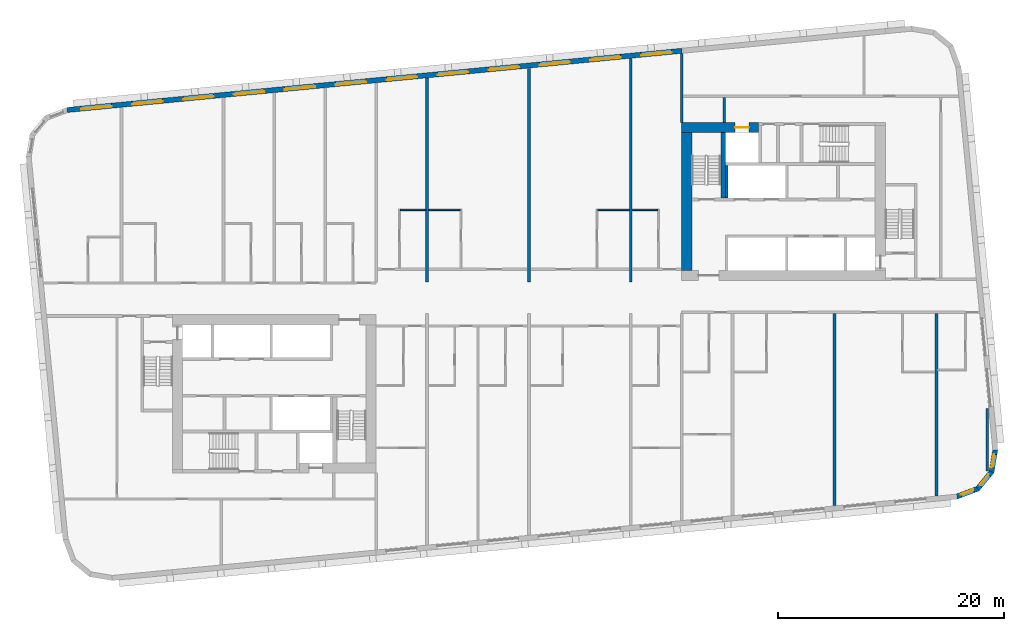
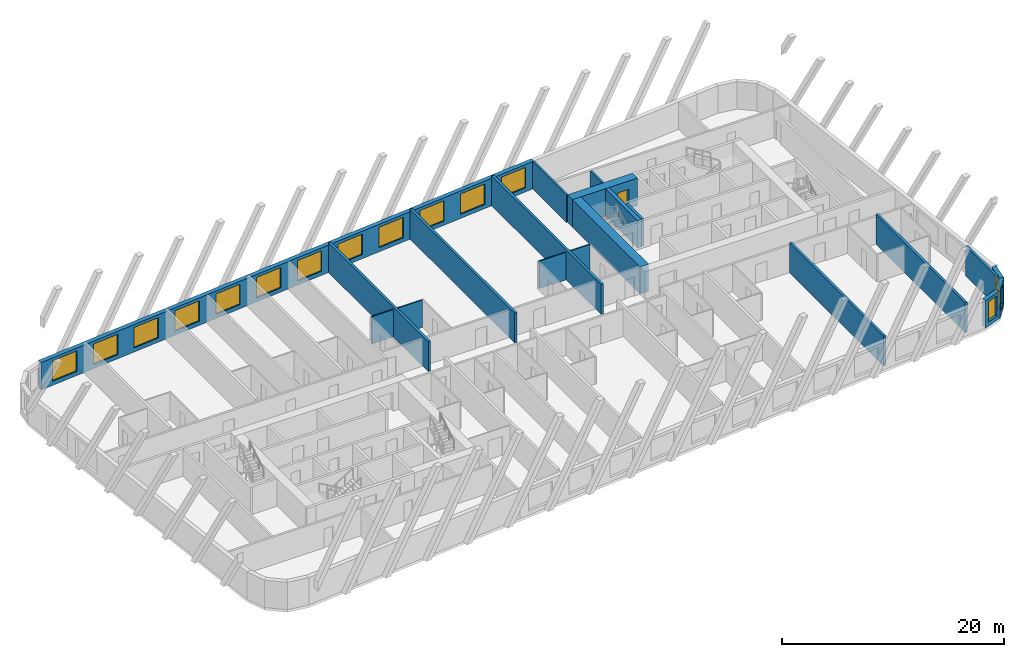
# One storey, part 6 of 13: 20 walls, 15 windows, 1 door, 16 openings.
"""IFC4 building model written with IfcOpenShell, lengths in metres."""

from ifc_helpers import new_model, si_unit, direction, frame, frame_2d, origin, place, context, subcontext, project, spatial, polyline, rectangle, outline, extrude, material, layer, layer_set, type_object, element, fill, save


model = new_model("IFC4")

# Units and contexts
model_context = context("Model", 3, precision=1e-05, world=origin(), true_north=direction((0.0, 1.0)))
body_context = subcontext(model_context, "Body", "Model", "MODEL_VIEW")
ifc_project = project(units=[si_unit("LENGTHUNIT", "METRE"), si_unit("AREAUNIT", "SQUARE_METRE"), si_unit("VOLUMEUNIT", "CUBIC_METRE"), si_unit("PLANEANGLEUNIT", "RADIAN"), si_unit("MASSUNIT", "GRAM", prefix="KILO")], contexts=[model_context])

# Site, building, storey
site_placement = place(None, origin())
site = spatial("IfcSite", under=ifc_project, at=site_placement, CompositionType="ELEMENT")
building_placement = place(site_placement, origin())
building = spatial("IfcBuilding", under=site, at=building_placement, Name="Kajstack Hotel Tower", CompositionType="ELEMENT")
storey_placement = place(building_placement, frame((0.0, 0.0, 176.800048828125)))
storey = spatial("IfcBuildingStorey", under=building, at=storey_placement, Name="L41", CompositionType="ELEMENT", Elevation=176.800048828125)

# Wall, opening, door
ifc_material_1 = material(Name="Concrete C60/75", Category="concrete")
ifc_layer_1 = layer(ifc_material_1, 0.89990234375)
ifc_layer_set_1 = layer_set([ifc_layer_1], Name="Core wall 900")
wall_type_1 = type_object("IfcWallType", Name="Core wall 900", PredefinedType="SHEAR", material=ifc_layer_set_1)
wall_1_placement = place(storey_placement, frame((13.5, 15.050048828125, 0.0), z_axis=(0.0, 0.0, 1.0), x_axis=(1.0, 0.0, 0.0)))
wall_1 = element("IfcWall", 1, at=wall_1_placement, inside=storey, type_object=wall_type_1, Name="Core wall E RS", PredefinedType="SHEAR", context=body_context, shape_type="SweptSolid", body=[
    extrude(rectangle(XDim=6.800048828125, YDim=0.89990234375, at=frame_2d((3.39990234375, 0.0))), origin(), (0.0, 0.0, 1.0), 3.02001953125),
])
opening_1_placement = place(wall_1_placement, frame((4.72509765625, 0.0, 0.0)))
opening_1 = element("IfcOpeningElement", 2, at=opening_1_placement, cuts=wall_1, Name="Opening LD-SV2", PredefinedType="OPENING", context=body_context, shape_type="SweptSolid", body=[
    extrude(rectangle(XDim=1.199951171875, YDim=2.10009765625, at=frame_2d((0.60009765625, 1.050048828125))), frame((0.0, 0.4599609375, 0.0), z_axis=(0.0, -1.0, 0.0), x_axis=(1.0, 0.0, 0.0)), (0.0, 0.0, 1.0), 0.919921875),
])
ifc_material_2 = material(Name="Stainless steel", Category="steel")
door_type = type_object("IfcDoorType", Name="Lift landing door 1200", OperationType="SLIDING_TO_LEFT", PredefinedType="DOOR", material=ifc_material_2)
door_placement = place(opening_1_placement, origin())
door = element("IfcDoor", 3, at=door_placement, inside=storey, type_object=door_type, Name="Landing door SV2", OperationType="SLIDING_TO_LEFT", OverallHeight=2.10009765625, OverallWidth=1.199951171875, PredefinedType="DOOR", context=body_context, shape_type="SweptSolid", body=[
    extrude(rectangle(XDim=1.199951171875, YDim=2.10009765625, at=frame_2d((0.60009765625, 1.050048828125))), frame((0.0, 0.02490234375, 0.0), z_axis=(0.0, -1.0, 0.0), x_axis=(1.0, 0.0, 0.0)), (0.0, 0.0, 1.0), 0.050048828125),
])
fill(opening_1, door)

# Walls
wall_2_placement = place(storey_placement, frame((13.949951171875, 2.39990234375, 0.0), z_axis=(0.0, 0.0, 1.0), x_axis=(0.0, 1.0, 0.0)))
element("IfcWall", 4, at=wall_2_placement, inside=storey, type_object=wall_type_1, Name="Core wall E RE", PredefinedType="SHEAR", context=body_context, shape_type="SweptSolid", body=[
    extrude(rectangle(XDim=12.2001953125, YDim=0.89990234375, at=frame_2d((6.10009765625, 0.0))), origin(), (0.0, 0.0, 1.0), 3.02001953125),
])
ifc_material_3 = material(Name="Twin-frame gypsum board on steel studs, mineral wool", Category="steel")
ifc_layer_2 = layer(ifc_material_3, 0.199951171875)
ifc_layer_set_2 = layer_set([ifc_layer_2], Name="Demising wall 200")
wall_type_2 = type_object("IfcWallType", Name="Demising wall 200", PredefinedType="PARTITIONING", material=ifc_layer_set_2)
wall_3_placement = place(storey_placement, frame((13.5, 15.5, 0.0), z_axis=(0.0, 0.0, 1.0), x_axis=(0.0, 1.0, 0.0)))
element("IfcWall", 5, at=wall_3_placement, inside=storey, type_object=wall_type_2, Name="G-wall-L41-001", PredefinedType="PARTITIONING", context=body_context, shape_type="SweptSolid", body=[
    extrude(rectangle(XDim=6.089111328125, YDim=0.199951171875, at=frame_2d((3.04443359375, 0.0))), origin(), (0.0, 0.0, 1.0), 3.02001953125),
])

# Wall, opening, window
ifc_material_4 = material(Name="Terracotta-faced brick masonry", Category="masonry")
ifc_layer_3 = layer(ifc_material_4, 0.449951171875)
ifc_layer_set_3 = layer_set([ifc_layer_3], Name="EW-TERRA")
wall_type_3 = type_object("IfcWallType", Name="EW-TERRA", PredefinedType="SOLIDWALL", material=ifc_layer_set_3)
wall_4_placement = place(storey_placement, frame((37.76123046875, -17.598388671875, 0.0), z_axis=(0.0, 0.0, 1.0), x_axis=(0.936677599948, 0.350192909346, 0.0)))
wall_4 = element("IfcWall", 6, at=wall_4_placement, inside=storey, type_object=wall_type_3, Name="E-wall-L41-05-00", PredefinedType="SOLIDWALL", context=body_context, shape_type="SweptSolid", body=[
    extrude(outline(polyline([(0.0, -0.22509765625), (2.070556640625, -0.224853515625), (1.949951171875, 0.22509765625), (0.12060546875, 0.22509765625), (0.0, -0.22509765625)])), origin(), (0.0, 0.0, 1.0), 3.02001953125),
])
opening_2_placement = place(wall_4_placement, frame((0.435302734375, 0.0, 0.449951171875)))
opening_2 = element("IfcOpeningElement", 7, at=opening_2_placement, cuts=wall_4, Name="Opening W3", PredefinedType="OPENING", context=body_context, shape_type="SweptSolid", body=[
    extrude(rectangle(XDim=1.199951171875, YDim=2.25, at=frame_2d((0.60009765625, 1.125))), frame((0.0, 0.23486328125, 0.0), z_axis=(0.0, -1.0, 0.0), x_axis=(1.0, 0.0, 0.0)), (0.0, 0.0, 1.0), 0.469970703125),
])
ifc_material_5 = material(Name="Timber-aluminium window, triple glazed", Category="wood")
window_type_1 = type_object("IfcWindowType", Name="WG3", PartitioningType="SINGLE_PANEL", PredefinedType="WINDOW", material=ifc_material_5)
window_1_placement = place(opening_2_placement, origin())
window_1 = element("IfcWindow", 8, at=window_1_placement, inside=storey, type_object=window_type_1, Name="Window W3 L41-05", OverallHeight=2.25, OverallWidth=1.199951171875, PartitioningType="SINGLE_PANEL", PredefinedType="WINDOW", context=body_context, shape_type="SweptSolid", body=[
    extrude(rectangle(XDim=1.199951171875, YDim=2.25, at=frame_2d((0.60009765625, 1.125))), frame((0.0, 0.090087890625, 0.0), z_axis=(0.0, -1.0, 0.0), x_axis=(1.0, 0.0, 0.0)), (0.0, 0.0, 1.0), 0.06005859375),
])
fill(opening_2, window_1)

wall_5_placement = place(storey_placement, frame((39.60595703125, -16.94091796875, 0.0), z_axis=(0.0, 0.0, 1.0), x_axis=(0.636116318187, 0.771593176315, 0.0)))
wall_5 = element("IfcWall", 9, at=wall_5_placement, inside=storey, type_object=wall_type_3, Name="E-wall-L41-06-00", PredefinedType="SOLIDWALL", context=body_context, shape_type="SweptSolid", body=[
    extrude(outline(polyline([(0.0, -0.224853515625), (2.070556640625, -0.224853515625), (1.949951171875, 0.22509765625), (0.12060546875, 0.22509765625), (0.0, -0.224853515625)])), origin(), (0.0, 0.0, 1.0), 3.02001953125),
])
opening_3_placement = place(wall_5_placement, frame((0.435302734375, 0.0, 0.449951171875)))
opening_3 = element("IfcOpeningElement", 10, at=opening_3_placement, cuts=wall_5, Name="Opening W3", PredefinedType="OPENING", context=body_context, shape_type="SweptSolid", body=[
    extrude(rectangle(XDim=1.199951171875, YDim=2.25, at=frame_2d((0.60009765625, 1.125))), frame((0.0, 0.23486328125, 0.0), z_axis=(0.0, -1.0, 0.0), x_axis=(1.0, 0.0, 0.0)), (0.0, 0.0, 1.0), 0.469970703125),
])
window_2_placement = place(opening_3_placement, origin())
window_2 = element("IfcWindow", 11, at=window_2_placement, inside=storey, type_object=window_type_1, Name="Window W3 L41-06", OverallHeight=2.25, OverallWidth=1.199951171875, PartitioningType="SINGLE_PANEL", PredefinedType="WINDOW", context=body_context, shape_type="SweptSolid", body=[
    extrude(rectangle(XDim=1.199951171875, YDim=2.25, at=frame_2d((0.60009765625, 1.125))), frame((0.0, 0.090087890625, 0.0), z_axis=(0.0, -1.0, 0.0), x_axis=(1.0, 0.0, 0.0)), (0.0, 0.0, 1.0), 0.06005859375),
])
fill(opening_3, window_2)

wall_6_placement = place(storey_placement, frame((40.874755859375, -15.44921875, 0.0), z_axis=(0.0, 0.0, 1.0), x_axis=(0.164953448126, 0.986301353518, 0.0)))
wall_6 = element("IfcWall", 12, at=wall_6_placement, inside=storey, type_object=wall_type_3, Name="E-wall-L41-07-00", PredefinedType="SOLIDWALL", context=body_context, shape_type="SweptSolid", body=[
    extrude(outline(polyline([(0.0, -0.224853515625), (2.070556640625, -0.22509765625), (1.9501953125, 0.224853515625), (0.12060546875, 0.22509765625), (0.0, -0.224853515625)])), origin(), (0.0, 0.0, 1.0), 3.02001953125),
])
opening_4_placement = place(wall_6_placement, frame((0.435302734375, 0.0, 0.449951171875)))
opening_4 = element("IfcOpeningElement", 13, at=opening_4_placement, cuts=wall_6, Name="Opening W3", PredefinedType="OPENING", context=body_context, shape_type="SweptSolid", body=[
    extrude(rectangle(XDim=1.199951171875, YDim=2.25, at=frame_2d((0.60009765625, 1.125))), frame((0.0, 0.23486328125, 0.0), z_axis=(0.0, -1.0, 0.0), x_axis=(1.0, 0.0, 0.0)), (0.0, 0.0, 1.0), 0.469970703125),
])
window_3_placement = place(opening_4_placement, origin())
window_3 = element("IfcWindow", 14, at=window_3_placement, inside=storey, type_object=window_type_1, Name="Window W3 L41-07", OverallHeight=2.25, OverallWidth=1.199951171875, PartitioningType="SINGLE_PANEL", PredefinedType="WINDOW", context=body_context, shape_type="SweptSolid", body=[
    extrude(rectangle(XDim=1.199951171875, YDim=2.25, at=frame_2d((0.60009765625, 1.125))), frame((0.0, 0.090087890625, 0.0), z_axis=(0.0, -1.0, 0.0), x_axis=(1.0, 0.0, 0.0)), (0.0, 0.0, 1.0), 0.06005859375),
])
fill(opening_4, window_3)

# Wall, openings, windows
wall_7_placement = place(storey_placement, frame((13.521484375, 21.8173828125, 0.0), z_axis=(0.0, 0.0, 1.0), x_axis=(-0.995396508751, -0.095842529008, 0.0)))
wall_7 = element("IfcWall", 15, at=wall_7_placement, inside=storey, type_object=wall_type_3, Name="E-wall-L41-12-02", PredefinedType="SOLIDWALL", context=body_context, shape_type="SweptSolid", body=[
    extrude(rectangle(XDim=54.59130859375, YDim=0.449951171875, at=frame_2d((27.295654296875, 0.0))), origin(), (0.0, 0.0, 1.0), 3.02001953125),
])
opening_5_placement = place(wall_7_placement, frame((0.910400390625, 0.0, 0.449951171875)))
opening_5 = element("IfcOpeningElement", 16, at=opening_5_placement, cuts=wall_7, Name="Opening W1", PredefinedType="OPENING", context=body_context, shape_type="SweptSolid", body=[
    extrude(rectangle(XDim=2.699951171875, YDim=2.25, at=frame_2d((1.35009765625, 1.125))), frame((0.0, 0.23486328125, 0.0), z_axis=(0.0, -1.0, 0.0), x_axis=(1.0, 0.0, 0.0)), (0.0, 0.0, 1.0), 0.469970703125),
])
opening_6_placement = place(wall_7_placement, frame((5.43115234375, 0.0, 0.449951171875)))
opening_6 = element("IfcOpeningElement", 17, at=opening_6_placement, cuts=wall_7, Name="Opening W1", PredefinedType="OPENING", context=body_context, shape_type="SweptSolid", body=[
    extrude(rectangle(XDim=2.699951171875, YDim=2.25, at=frame_2d((1.35009765625, 1.125))), frame((0.0, 0.23486328125, 0.0), z_axis=(0.0, -1.0, 0.0), x_axis=(1.0, 0.0, 0.0)), (0.0, 0.0, 1.0), 0.469970703125),
])
opening_7_placement = place(wall_7_placement, frame((9.951904296875, 0.0, 0.449951171875)))
opening_7 = element("IfcOpeningElement", 18, at=opening_7_placement, cuts=wall_7, Name="Opening W1", PredefinedType="OPENING", context=body_context, shape_type="SweptSolid", body=[
    extrude(rectangle(XDim=2.699951171875, YDim=2.25, at=frame_2d((1.35009765625, 1.125))), frame((0.0, 0.23486328125, 0.0), z_axis=(0.0, -1.0, 0.0), x_axis=(1.0, 0.0, 0.0)), (0.0, 0.0, 1.0), 0.469970703125),
])
opening_8_placement = place(wall_7_placement, frame((14.472900390625, 0.0, 0.449951171875)))
opening_8 = element("IfcOpeningElement", 19, at=opening_8_placement, cuts=wall_7, Name="Opening W1", PredefinedType="OPENING", context=body_context, shape_type="SweptSolid", body=[
    extrude(rectangle(XDim=2.699951171875, YDim=2.25, at=frame_2d((1.35009765625, 1.125))), frame((0.0, 0.23486328125, 0.0), z_axis=(0.0, -1.0, 0.0), x_axis=(1.0, 0.0, 0.0)), (0.0, 0.0, 1.0), 0.469970703125),
])
opening_9_placement = place(wall_7_placement, frame((18.99365234375, 0.0, 0.449951171875)))
opening_9 = element("IfcOpeningElement", 20, at=opening_9_placement, cuts=wall_7, Name="Opening W1", PredefinedType="OPENING", context=body_context, shape_type="SweptSolid", body=[
    extrude(rectangle(XDim=2.699951171875, YDim=2.25, at=frame_2d((1.35009765625, 1.125))), frame((0.0, 0.23486328125, 0.0), z_axis=(0.0, -1.0, 0.0), x_axis=(1.0, 0.0, 0.0)), (0.0, 0.0, 1.0), 0.469970703125),
])
opening_10_placement = place(wall_7_placement, frame((23.514404296875, 0.0, 0.449951171875)))
opening_10 = element("IfcOpeningElement", 21, at=opening_10_placement, cuts=wall_7, Name="Opening W1", PredefinedType="OPENING", context=body_context, shape_type="SweptSolid", body=[
    extrude(rectangle(XDim=2.699951171875, YDim=2.25, at=frame_2d((1.35009765625, 1.125))), frame((0.0, 0.23486328125, 0.0), z_axis=(0.0, -1.0, 0.0), x_axis=(1.0, 0.0, 0.0)), (0.0, 0.0, 1.0), 0.469970703125),
])
opening_11_placement = place(wall_7_placement, frame((28.03515625, 0.0, 0.449951171875)))
opening_11 = element("IfcOpeningElement", 22, at=opening_11_placement, cuts=wall_7, Name="Opening W1", PredefinedType="OPENING", context=body_context, shape_type="SweptSolid", body=[
    extrude(rectangle(XDim=2.699951171875, YDim=2.25, at=frame_2d((1.35009765625, 1.125))), frame((0.0, 0.23486328125, 0.0), z_axis=(0.0, -1.0, 0.0), x_axis=(1.0, 0.0, 0.0)), (0.0, 0.0, 1.0), 0.469970703125),
])
opening_12_placement = place(wall_7_placement, frame((32.555908203125, 0.0, 0.449951171875)))
opening_12 = element("IfcOpeningElement", 23, at=opening_12_placement, cuts=wall_7, Name="Opening W1", PredefinedType="OPENING", context=body_context, shape_type="SweptSolid", body=[
    extrude(rectangle(XDim=2.699951171875, YDim=2.25, at=frame_2d((1.35009765625, 1.125))), frame((0.0, 0.23486328125, 0.0), z_axis=(0.0, -1.0, 0.0), x_axis=(1.0, 0.0, 0.0)), (0.0, 0.0, 1.0), 0.469970703125),
])
opening_13_placement = place(wall_7_placement, frame((37.076904296875, 0.0, 0.449951171875)))
opening_13 = element("IfcOpeningElement", 24, at=opening_13_placement, cuts=wall_7, Name="Opening W1", PredefinedType="OPENING", context=body_context, shape_type="SweptSolid", body=[
    extrude(rectangle(XDim=2.699951171875, YDim=2.25, at=frame_2d((1.35009765625, 1.125))), frame((0.0, 0.23486328125, 0.0), z_axis=(0.0, -1.0, 0.0), x_axis=(1.0, 0.0, 0.0)), (0.0, 0.0, 1.0), 0.469970703125),
])
opening_14_placement = place(wall_7_placement, frame((41.59765625, 0.0, 0.449951171875)))
opening_14 = element("IfcOpeningElement", 25, at=opening_14_placement, cuts=wall_7, Name="Opening W1", PredefinedType="OPENING", context=body_context, shape_type="SweptSolid", body=[
    extrude(rectangle(XDim=2.699951171875, YDim=2.25, at=frame_2d((1.35009765625, 1.125))), frame((0.0, 0.23486328125, 0.0), z_axis=(0.0, -1.0, 0.0), x_axis=(1.0, 0.0, 0.0)), (0.0, 0.0, 1.0), 0.469970703125),
])
opening_15_placement = place(wall_7_placement, frame((46.118408203125, 0.0, 0.449951171875)))
opening_15 = element("IfcOpeningElement", 26, at=opening_15_placement, cuts=wall_7, Name="Opening W1", PredefinedType="OPENING", context=body_context, shape_type="SweptSolid", body=[
    extrude(rectangle(XDim=2.699951171875, YDim=2.25, at=frame_2d((1.35009765625, 1.125))), frame((0.0, 0.23486328125, 0.0), z_axis=(0.0, -1.0, 0.0), x_axis=(1.0, 0.0, 0.0)), (0.0, 0.0, 1.0), 0.469970703125),
])
opening_16_placement = place(wall_7_placement, frame((50.62890625, 0.0, 0.449951171875)))
opening_16 = element("IfcOpeningElement", 27, at=opening_16_placement, cuts=wall_7, Name="Opening W1", PredefinedType="OPENING", context=body_context, shape_type="SweptSolid", body=[
    extrude(rectangle(XDim=2.699951171875, YDim=2.25, at=frame_2d((1.35009765625, 1.125))), frame((0.0, 0.23486328125, 0.0), z_axis=(0.0, -1.0, 0.0), x_axis=(1.0, 0.0, 0.0)), (0.0, 0.0, 1.0), 0.469970703125),
])
window_type_2 = type_object("IfcWindowType", Name="WG1", PartitioningType="SINGLE_PANEL", PredefinedType="WINDOW", material=ifc_material_5)
window_4_placement = place(opening_5_placement, origin())
window_4 = element("IfcWindow", 28, at=window_4_placement, inside=storey, type_object=window_type_2, Name="Window W1 L41-12", OverallHeight=2.25, OverallWidth=2.699951171875, PartitioningType="SINGLE_PANEL", PredefinedType="WINDOW", context=body_context, shape_type="SweptSolid", body=[
    extrude(rectangle(XDim=2.699951171875, YDim=2.25, at=frame_2d((1.35009765625, 1.125))), frame((0.0, 0.090087890625, 0.0), z_axis=(0.0, -1.0, 0.0), x_axis=(1.0, 0.0, 0.0)), (0.0, 0.0, 1.0), 0.06005859375),
])
fill(opening_5, window_4)
window_5_placement = place(opening_6_placement, origin())
window_5 = element("IfcWindow", 29, at=window_5_placement, inside=storey, type_object=window_type_2, Name="Window W1 L41-12", OverallHeight=2.25, OverallWidth=2.699951171875, PartitioningType="SINGLE_PANEL", PredefinedType="WINDOW", context=body_context, shape_type="SweptSolid", body=[
    extrude(rectangle(XDim=2.699951171875, YDim=2.25, at=frame_2d((1.35009765625, 1.125))), frame((0.0, 0.090087890625, 0.0), z_axis=(0.0, -1.0, 0.0), x_axis=(1.0, 0.0, 0.0)), (0.0, 0.0, 1.0), 0.06005859375),
])
fill(opening_6, window_5)
window_6_placement = place(opening_7_placement, origin())
window_6 = element("IfcWindow", 30, at=window_6_placement, inside=storey, type_object=window_type_2, Name="Window W1 L41-12", OverallHeight=2.25, OverallWidth=2.699951171875, PartitioningType="SINGLE_PANEL", PredefinedType="WINDOW", context=body_context, shape_type="SweptSolid", body=[
    extrude(rectangle(XDim=2.699951171875, YDim=2.25, at=frame_2d((1.35009765625, 1.125))), frame((0.0, 0.090087890625, 0.0), z_axis=(0.0, -1.0, 0.0), x_axis=(1.0, 0.0, 0.0)), (0.0, 0.0, 1.0), 0.06005859375),
])
fill(opening_7, window_6)
window_7_placement = place(opening_8_placement, origin())
window_7 = element("IfcWindow", 31, at=window_7_placement, inside=storey, type_object=window_type_2, Name="Window W1 L41-12", OverallHeight=2.25, OverallWidth=2.699951171875, PartitioningType="SINGLE_PANEL", PredefinedType="WINDOW", context=body_context, shape_type="SweptSolid", body=[
    extrude(rectangle(XDim=2.699951171875, YDim=2.25, at=frame_2d((1.35009765625, 1.125))), frame((0.0, 0.090087890625, 0.0), z_axis=(0.0, -1.0, 0.0), x_axis=(1.0, 0.0, 0.0)), (0.0, 0.0, 1.0), 0.06005859375),
])
fill(opening_8, window_7)
window_8_placement = place(opening_9_placement, origin())
window_8 = element("IfcWindow", 32, at=window_8_placement, inside=storey, type_object=window_type_2, Name="Window W1 L41-12", OverallHeight=2.25, OverallWidth=2.699951171875, PartitioningType="SINGLE_PANEL", PredefinedType="WINDOW", context=body_context, shape_type="SweptSolid", body=[
    extrude(rectangle(XDim=2.699951171875, YDim=2.25, at=frame_2d((1.35009765625, 1.125))), frame((0.0, 0.090087890625, 0.0), z_axis=(0.0, -1.0, 0.0), x_axis=(1.0, 0.0, 0.0)), (0.0, 0.0, 1.0), 0.06005859375),
])
fill(opening_9, window_8)
window_9_placement = place(opening_10_placement, origin())
window_9 = element("IfcWindow", 33, at=window_9_placement, inside=storey, type_object=window_type_2, Name="Window W1 L41-12", OverallHeight=2.25, OverallWidth=2.699951171875, PartitioningType="SINGLE_PANEL", PredefinedType="WINDOW", context=body_context, shape_type="SweptSolid", body=[
    extrude(rectangle(XDim=2.699951171875, YDim=2.25, at=frame_2d((1.35009765625, 1.125))), frame((0.0, 0.090087890625, 0.0), z_axis=(0.0, -1.0, 0.0), x_axis=(1.0, 0.0, 0.0)), (0.0, 0.0, 1.0), 0.06005859375),
])
fill(opening_10, window_9)
window_10_placement = place(opening_11_placement, origin())
window_10 = element("IfcWindow", 34, at=window_10_placement, inside=storey, type_object=window_type_2, Name="Window W1 L41-12", OverallHeight=2.25, OverallWidth=2.699951171875, PartitioningType="SINGLE_PANEL", PredefinedType="WINDOW", context=body_context, shape_type="SweptSolid", body=[
    extrude(rectangle(XDim=2.699951171875, YDim=2.25, at=frame_2d((1.35009765625, 1.125))), frame((0.0, 0.090087890625, 0.0), z_axis=(0.0, -1.0, 0.0), x_axis=(1.0, 0.0, 0.0)), (0.0, 0.0, 1.0), 0.06005859375),
])
fill(opening_11, window_10)
window_11_placement = place(opening_12_placement, origin())
window_11 = element("IfcWindow", 35, at=window_11_placement, inside=storey, type_object=window_type_2, Name="Window W1 L41-12", OverallHeight=2.25, OverallWidth=2.699951171875, PartitioningType="SINGLE_PANEL", PredefinedType="WINDOW", context=body_context, shape_type="SweptSolid", body=[
    extrude(rectangle(XDim=2.699951171875, YDim=2.25, at=frame_2d((1.35009765625, 1.125))), frame((0.0, 0.090087890625, 0.0), z_axis=(0.0, -1.0, 0.0), x_axis=(1.0, 0.0, 0.0)), (0.0, 0.0, 1.0), 0.06005859375),
])
fill(opening_12, window_11)
window_12_placement = place(opening_13_placement, origin())
window_12 = element("IfcWindow", 36, at=window_12_placement, inside=storey, type_object=window_type_2, Name="Window W1 L41-12", OverallHeight=2.25, OverallWidth=2.699951171875, PartitioningType="SINGLE_PANEL", PredefinedType="WINDOW", context=body_context, shape_type="SweptSolid", body=[
    extrude(rectangle(XDim=2.699951171875, YDim=2.25, at=frame_2d((1.35009765625, 1.125))), frame((0.0, 0.090087890625, 0.0), z_axis=(0.0, -1.0, 0.0), x_axis=(1.0, 0.0, 0.0)), (0.0, 0.0, 1.0), 0.06005859375),
])
fill(opening_13, window_12)
window_13_placement = place(opening_14_placement, origin())
window_13 = element("IfcWindow", 37, at=window_13_placement, inside=storey, type_object=window_type_2, Name="Window W1 L41-12", OverallHeight=2.25, OverallWidth=2.699951171875, PartitioningType="SINGLE_PANEL", PredefinedType="WINDOW", context=body_context, shape_type="SweptSolid", body=[
    extrude(rectangle(XDim=2.699951171875, YDim=2.25, at=frame_2d((1.35009765625, 1.125))), frame((0.0, 0.090087890625, 0.0), z_axis=(0.0, -1.0, 0.0), x_axis=(1.0, 0.0, 0.0)), (0.0, 0.0, 1.0), 0.06005859375),
])
fill(opening_14, window_13)
window_14_placement = place(opening_15_placement, origin())
window_14 = element("IfcWindow", 38, at=window_14_placement, inside=storey, type_object=window_type_2, Name="Window W1 L41-12", OverallHeight=2.25, OverallWidth=2.699951171875, PartitioningType="SINGLE_PANEL", PredefinedType="WINDOW", context=body_context, shape_type="SweptSolid", body=[
    extrude(rectangle(XDim=2.699951171875, YDim=2.25, at=frame_2d((1.35009765625, 1.125))), frame((0.0, 0.090087890625, 0.0), z_axis=(0.0, -1.0, 0.0), x_axis=(1.0, 0.0, 0.0)), (0.0, 0.0, 1.0), 0.06005859375),
])
fill(opening_15, window_14)
window_15_placement = place(opening_16_placement, origin())
window_15 = element("IfcWindow", 39, at=window_15_placement, inside=storey, type_object=window_type_2, Name="Window W1 L41-12", OverallHeight=2.25, OverallWidth=2.699951171875, PartitioningType="SINGLE_PANEL", PredefinedType="WINDOW", context=body_context, shape_type="SweptSolid", body=[
    extrude(rectangle(XDim=2.699951171875, YDim=2.25, at=frame_2d((1.35009765625, 1.125))), frame((0.0, 0.090087890625, 0.0), z_axis=(0.0, -1.0, 0.0), x_axis=(1.0, 0.0, 0.0)), (0.0, 0.0, 1.0), 0.06005859375),
])
fill(opening_16, window_15)

# Walls
ifc_material_6 = material(Name="Gypsum board and tiled backer on steel studs", Category="steel")
ifc_layer_4 = layer(ifc_material_6, 0.125)
ifc_layer_set_4 = layer_set([ifc_layer_4], Name="En-suite wall 125")
wall_type_4 = type_object("IfcWallType", Name="En-suite wall 125", PredefinedType="PARTITIONING", material=ifc_layer_set_4)
wall_8_placement = place(storey_placement, frame((-11.375, 7.761962890625, 0.0), z_axis=(0.0, 0.0, 1.0), x_axis=(1.0, 0.0, 0.0)))
element("IfcWall", 40, at=wall_8_placement, inside=storey, type_object=wall_type_4, Name="G-wall-L41-018", PredefinedType="PARTITIONING", context=body_context, shape_type="SweptSolid", body=[
    extrude(rectangle(XDim=2.25, YDim=0.125, at=frame_2d((1.125, 0.0))), origin(), (0.0, 0.0, 1.0), 3.02001953125),
])
for number, where, z_axis, x_axis, name in (
    (41, (-8.875, 7.761962890625, 0.0), (0.0, 0.0, 1.0), (1.0, 0.0, 0.0), "G-wall-L41-020"),
    (42, (6.074951171875, 7.761962890625, 0.0), (0.0, 0.0, 1.0), (1.0, 0.0, 0.0), "G-wall-L41-022"),
):
    element("IfcWall", number, at=place(storey_placement, frame(where, z_axis=z_axis, x_axis=x_axis)), inside=storey, type_object=wall_type_4, Name=name, PredefinedType="PARTITIONING", context=body_context, shape_type="SweptSolid", body=[
        extrude(rectangle(XDim=2.800048828125, YDim=0.125, at=frame_2d((1.39990234375, 0.0))), origin(), (0.0, 0.0, 1.0), 3.02001953125),
    ])
wall_9_placement = place(storey_placement, frame((9.125, 7.761962890625, 0.0), z_axis=(0.0, 0.0, 1.0), x_axis=(1.0, 0.0, 0.0)))
element("IfcWall", 43, at=wall_9_placement, inside=storey, type_object=wall_type_4, Name="G-wall-L41-024", PredefinedType="PARTITIONING", context=body_context, shape_type="SweptSolid", body=[
    extrude(rectangle(XDim=2.25, YDim=0.125, at=frame_2d((1.125, 0.0))), origin(), (0.0, 0.0, 1.0), 3.02001953125),
])
ifc_material_7 = material(Name="Concrete C50/60", Category="concrete")
ifc_layer_5 = layer(ifc_material_7, 0.25)
ifc_layer_set_5 = layer_set([ifc_layer_5], Name="RC cross wall 250 C50/60")
wall_type_5 = type_object("IfcWallType", Name="RC cross wall 250 C50/60", PredefinedType="SHEAR", material=ifc_layer_set_5)
wall_10_placement = place(storey_placement, frame((-9.0, 1.39990234375, 0.0), z_axis=(0.0, 0.0, 1.0), x_axis=(0.0, 1.0, 0.0)))
element("IfcWall", 44, at=wall_10_placement, inside=storey, type_object=wall_type_5, Name="S-wall-L41-05", PredefinedType="SHEAR", context=body_context, shape_type="SweptSolid", body=[
    extrude(rectangle(XDim=18.0009765625, YDim=0.25, at=frame_2d((9.00048828125, 0.0))), origin(), (0.0, 0.0, 1.0), 3.300048828125),
])
wall_11_placement = place(storey_placement, frame((0.0, 1.39990234375, 0.0), z_axis=(0.0, 0.0, 1.0), x_axis=(0.0, 1.0, 0.0)))
element("IfcWall", 45, at=wall_11_placement, inside=storey, type_object=wall_type_5, Name="S-wall-L41-07", PredefinedType="SHEAR", context=body_context, shape_type="SweptSolid", body=[
    extrude(rectangle(XDim=18.867431640625, YDim=0.25, at=frame_2d((9.43359375, 0.0))), origin(), (0.0, 0.0, 1.0), 3.300048828125),
])
wall_12_placement = place(storey_placement, frame((9.0, 1.39990234375, 0.0), z_axis=(0.0, 0.0, 1.0), x_axis=(0.0, 1.0, 0.0)))
element("IfcWall", 46, at=wall_12_placement, inside=storey, type_object=wall_type_5, Name="S-wall-L41-09", PredefinedType="SHEAR", context=body_context, shape_type="SweptSolid", body=[
    extrude(rectangle(XDim=19.734130859375, YDim=0.25, at=frame_2d((9.8671875, 0.0))), origin(), (0.0, 0.0, 1.0), 3.300048828125),
])
wall_13_placement = place(storey_placement, frame((27.0, -18.378662109375, 0.0), z_axis=(0.0, 0.0, 1.0), x_axis=(0.0, 1.0, 0.0)))
element("IfcWall", 47, at=wall_13_placement, inside=storey, type_object=wall_type_5, Name="S-wall-L41-11", PredefinedType="SHEAR", context=body_context, shape_type="SweptSolid", body=[
    extrude(rectangle(XDim=16.978759765625, YDim=0.25, at=frame_2d((8.4892578125, 0.0))), origin(), (0.0, 0.0, 1.0), 3.300048828125),
])
wall_14_placement = place(storey_placement, frame((36.0, -17.51220703125, 0.0), z_axis=(0.0, 0.0, 1.0), x_axis=(0.0, 1.0, 0.0)))
element("IfcWall", 48, at=wall_14_placement, inside=storey, type_object=wall_type_5, Name="S-wall-L41-12", PredefinedType="SHEAR", context=body_context, shape_type="SweptSolid", body=[
    extrude(rectangle(XDim=16.1123046875, YDim=0.25, at=frame_2d((8.05615234375, 0.0))), origin(), (0.0, 0.0, 1.0), 3.300048828125),
])
wall_15_placement = place(storey_placement, frame((40.5, -15.335205078125, 0.0), z_axis=(0.0, 0.0, 1.0), x_axis=(0.0, 1.0, 0.0)))
element("IfcWall", 49, at=wall_15_placement, inside=storey, type_object=wall_type_5, Name="S-wall-L41-13", PredefinedType="SHEAR", context=body_context, shape_type="SweptSolid", body=[
    extrude(rectangle(XDim=5.5380859375, YDim=0.25, at=frame_2d((2.76904296875, 0.0))), origin(), (0.0, 0.0, 1.0), 3.300048828125),
])
ifc_material_8 = material(Name="Gypsum board on steel studs, mineral wool", Category="steel")
ifc_layer_6 = layer(ifc_material_8, 0.199951171875)
ifc_layer_set_6 = layer_set([ifc_layer_6], Name="Service partition 200")
wall_type_6 = type_object("IfcWallType", Name="Service partition 200", PredefinedType="PARTITIONING", material=ifc_layer_set_6)
wall_16_placement = place(storey_placement, frame((17.25, 15.5, 0.0), z_axis=(0.0, 0.0, 1.0), x_axis=(0.0, 1.0, 0.0)))
element("IfcWall", 50, at=wall_16_placement, inside=storey, type_object=wall_type_6, Name="Partition E SCE", PredefinedType="PARTITIONING", context=body_context, shape_type="SweptSolid", body=[
    extrude(rectangle(XDim=2.199951171875, YDim=0.199951171875, at=frame_2d((1.10009765625, 0.0))), origin(), (0.0, 0.0, 1.0), 3.02001953125),
])
ifc_layer_7 = layer(ifc_material_7, 0.25)
ifc_layer_set_7 = layer_set([ifc_layer_7], Name="Shaft wall 250")
wall_type_7 = type_object("IfcWallType", Name="Shaft wall 250", PredefinedType="SHEAR", material=ifc_layer_set_7)
wall_17_placement = place(storey_placement, frame((17.47509765625, 8.800048828125, 0.0), z_axis=(0.0, 0.0, 1.0), x_axis=(0.0, 1.0, 0.0)))
element("IfcWall", 51, at=wall_17_placement, inside=storey, type_object=wall_type_7, Name="Core wall E BE", PredefinedType="SHEAR", context=body_context, shape_type="SweptSolid", body=[
    extrude(rectangle(XDim=2.89990234375, YDim=0.25, at=frame_2d((1.449951171875, 0.0))), origin(), (0.0, 0.0, 1.0), 3.02001953125),
])
ifc_layer_8 = layer(ifc_material_7, 0.39990234375)
ifc_layer_set_8 = layer_set([ifc_layer_8], Name="Stair wall 400")
wall_type_8 = type_object("IfcWallType", Name="Stair wall 400", PredefinedType="SHEAR", material=ifc_layer_set_8)
wall_18_placement = place(storey_placement, frame((17.14990234375, 8.800048828125, 0.0), z_axis=(0.0, 0.0, 1.0), x_axis=(0.0, 1.0, 0.0)))
element("IfcWall", 52, at=wall_18_placement, inside=storey, type_object=wall_type_8, Name="Core wall E WW2", PredefinedType="SHEAR", context=body_context, shape_type="SweptSolid", body=[
    extrude(rectangle(XDim=5.800048828125, YDim=0.39990234375, at=frame_2d((2.89990234375, 0.0))), origin(), (0.0, 0.0, 1.0), 3.02001953125),
])

save(model, "model.ifc")
